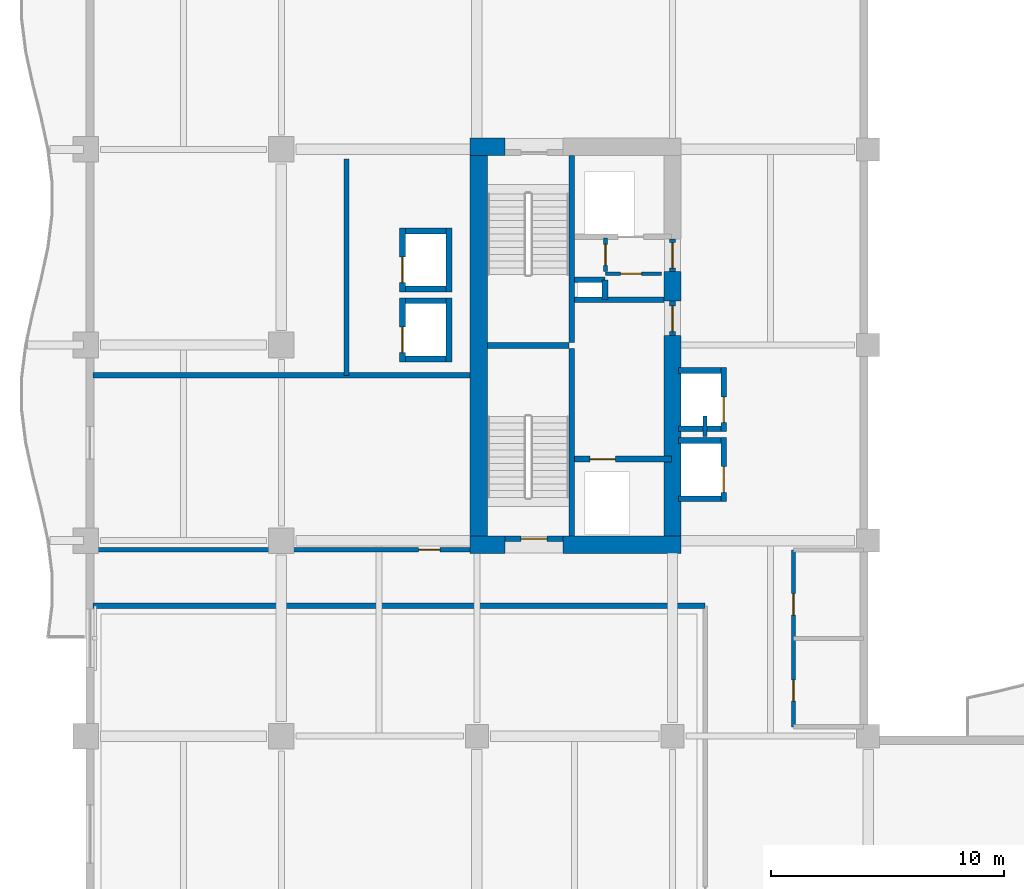
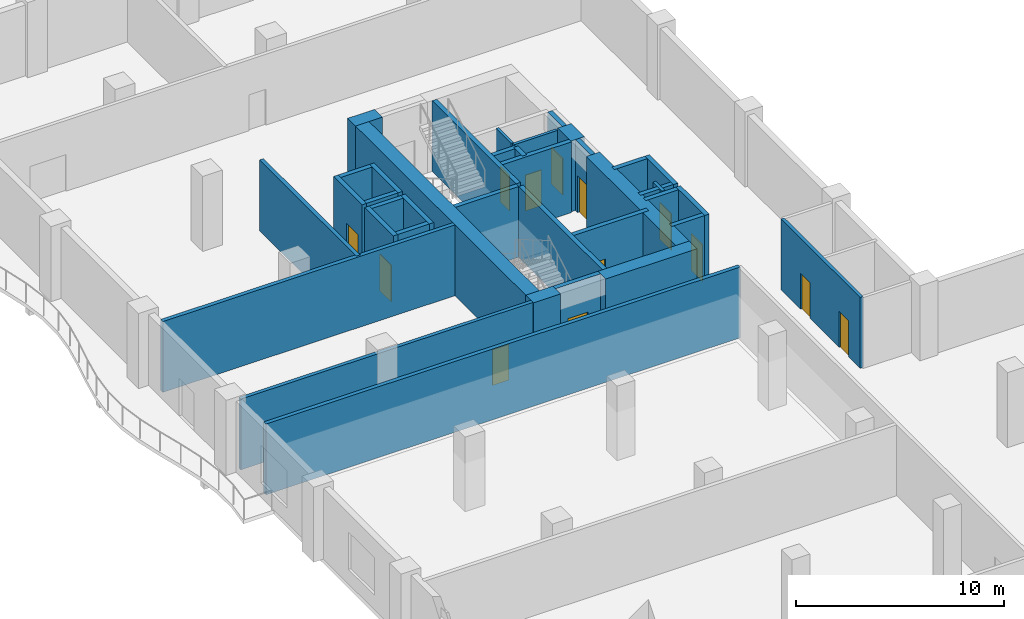
# One storey, part 12 of 22: 38 walls, 13 doors, 13 openings.
"""IFC4 building model written with IfcOpenShell, lengths in metres."""

from ifc_helpers import new_model, si_unit, direction, frame, frame_2d, origin, place, context, subcontext, project, spatial, rectangle, extrude, material, layer, layer_set, type_object, element, fill, save


model = new_model("IFC4")

# Units and contexts
model_context = context("Model", 3, precision=1e-05, world=origin(), true_north=direction((0.0, 1.0)))
body_context = subcontext(model_context, "Body", "Model", "MODEL_VIEW")
ifc_project = project(units=[si_unit("LENGTHUNIT", "METRE"), si_unit("AREAUNIT", "SQUARE_METRE"), si_unit("VOLUMEUNIT", "CUBIC_METRE"), si_unit("PLANEANGLEUNIT", "RADIAN"), si_unit("MASSUNIT", "GRAM", prefix="KILO")], contexts=[model_context])

# Site, building, storey
site_placement = place(None, origin())
site = spatial("IfcSite", under=ifc_project, at=site_placement, CompositionType="ELEMENT")
building_placement = place(site_placement, origin())
building = spatial("IfcBuilding", under=site, at=building_placement, Name="Koriwani Terraces Tower", CompositionType="ELEMENT")
storey_placement = place(building_placement, frame((0.0, 0.0, 153.199951171875)))
storey = spatial("IfcBuildingStorey", under=building, at=storey_placement, Name="L37", CompositionType="ELEMENT", Elevation=153.199951171875)

# Walls
ifc_material_1 = material(Name="Concrete C60/75", Category="concrete")
ifc_layer_1 = layer(ifc_material_1, 0.75, Name="Concrete C60/75")
ifc_layer_set_1 = layer_set([ifc_layer_1], Name="Concrete C60/75")
wall_type_1 = type_object("IfcWallType", Name="WALL_CORE_RC_750", PredefinedType="SHEAR", material=ifc_layer_set_1)
wall_1_placement = place(storey_placement, frame((16.5, 41.824951171875, 0.0), z_axis=(0.0, 0.0, 1.0), x_axis=(1.0, 0.0, 0.0)))
element("IfcWall", 1, at=wall_1_placement, inside=storey, type_object=wall_type_1, Name="L37 West Split Core Shear Wall S1", PredefinedType="SHEAR", context=body_context, shape_type="SweptSolid", body=[
    extrude(rectangle(XDim=1.5, YDim=0.75, at=frame_2d((0.75, 0.0))), origin(), (0.0, 0.0, 1.0), 4.150146484375),
])
wall_2_placement = place(storey_placement, frame((20.5, 41.824951171875, 0.0), z_axis=(0.0, 0.0, 1.0), x_axis=(1.0, 0.0, 0.0)))
element("IfcWall", 2, at=wall_2_placement, inside=storey, type_object=wall_type_1, Name="L37 West Split Core Shear Wall S2", PredefinedType="SHEAR", context=body_context, shape_type="SweptSolid", body=[
    extrude(rectangle(XDim=5.074951171875, YDim=0.75, at=frame_2d((2.53759765625, 0.0))), origin(), (0.0, 0.0, 1.0), 4.150146484375),
])
wall_3_placement = place(storey_placement, frame((16.5, 58.925048828125, 0.0), z_axis=(0.0, 0.0, 1.0), x_axis=(1.0, 0.0, 0.0)))
element("IfcWall", 3, at=wall_3_placement, inside=storey, type_object=wall_type_1, Name="L37 West Split Core Shear Wall N1", PredefinedType="SHEAR", context=body_context, shape_type="SweptSolid", body=[
    extrude(rectangle(XDim=1.5, YDim=0.75, at=frame_2d((0.75, 0.0))), origin(), (0.0, 0.0, 1.0), 4.150146484375),
])
wall_4_placement = place(storey_placement, frame((16.875, 42.199951171875, 0.0), z_axis=(0.0, 0.0, 1.0), x_axis=(0.0, 1.0, 0.0)))
element("IfcWall", 4, at=wall_4_placement, inside=storey, type_object=wall_type_1, Name="L37 West Split Core Shear Wall W1", PredefinedType="SHEAR", context=body_context, shape_type="SweptSolid", body=[
    extrude(rectangle(XDim=16.35009765625, YDim=0.75, at=frame_2d((8.175048828125, 0.0))), origin(), (0.0, 0.0, 1.0), 4.150146484375),
])
wall_5_placement = place(storey_placement, frame((25.199951171875, 42.199951171875, 0.0), z_axis=(0.0, 0.0, 1.0), x_axis=(0.0, 1.0, 0.0)))
element("IfcWall", 5, at=wall_5_placement, inside=storey, type_object=wall_type_1, Name="L37 West Split Core Shear Wall E1", PredefinedType="SHEAR", context=body_context, shape_type="SweptSolid", body=[
    extrude(rectangle(XDim=8.60009765625, YDim=0.75, at=frame_2d((4.300048828125, 0.0))), origin(), (0.0, 0.0, 1.0), 4.150146484375),
])
wall_6_placement = place(storey_placement, frame((25.199951171875, 52.280029296875, 0.0), z_axis=(0.0, 0.0, 1.0), x_axis=(0.0, 1.0, 0.0)))
element("IfcWall", 6, at=wall_6_placement, inside=storey, type_object=wall_type_1, Name="L37 West Split Core Shear Wall E2", PredefinedType="SHEAR", context=body_context, shape_type="SweptSolid", body=[
    extrude(rectangle(XDim=1.27001953125, YDim=0.75, at=frame_2d((0.635009765625, 0.0))), origin(), (0.0, 0.0, 1.0), 4.150146484375),
])

# Wall, opening, door
ifc_material_2 = material(Name="Autoclaved Cellular Concrete Blockwork", Category="masonry")
ifc_layer_2 = layer(ifc_material_2, 0.199951171875, Name="Autoclaved Cellular Concrete Blockwork")
ifc_layer_set_2 = layer_set([ifc_layer_2], Name="Autoclaved Cellular Concrete Blockwork")
wall_type_2 = type_object("IfcWallType", Name="WALL_CORRIDOR_200", PredefinedType="PARTITIONING", material=ifc_layer_set_2)
wall_7_placement = place(storey_placement, frame((0.300048828125, 41.60009765625, 0.0), z_axis=(0.0, 0.0, 1.0), x_axis=(1.0, 0.0, 0.0)))
wall_7 = element("IfcWall", 7, at=wall_7_placement, inside=storey, type_object=wall_type_2, Name="L37 Interior Wall WSKY-RECW1-L37", PredefinedType="PARTITIONING", context=body_context, shape_type="SweptSolid", body=[
    extrude(rectangle(XDim=16.199951171875, YDim=0.199951171875, at=frame_2d((8.10009765625, 0.0))), origin(), (0.0, 0.0, 1.0), 4.150146484375),
])
opening_1_placement = place(wall_7_placement, frame((14.0, 0.0, 0.0)))
opening_1 = element("IfcOpeningElement", 8, at=opening_1_placement, cuts=wall_7, Name="Opening D-06", PredefinedType="OPENING", context=body_context, shape_type="SweptSolid", body=[
    extrude(rectangle(XDim=0.919921875, YDim=2.10009765625, at=frame_2d((0.4599609375, 1.050048828125))), frame((0.0, 0.10986328125, 0.0), z_axis=(0.0, -1.0, 0.0), x_axis=(1.0, 0.0, 0.0)), (0.0, 0.0, 1.0), 0.219970703125),
])
ifc_material_3 = material(Name="Architectural Oak Fire Door", Category="wood")
door_type_1 = type_object("IfcDoorType", Name="DOOR_ROOM_INT_920X2100", OperationType="NOTDEFINED", PredefinedType="DOOR", material=ifc_material_3)
door_1_placement = place(opening_1_placement, origin())
door_1 = element("IfcDoor", 9, at=door_1_placement, inside=storey, type_object=door_type_1, Name="L37 Private Summit Boardroom Door", OperationType="SINGLE_SWING_LEFT", OverallHeight=2.10009765625, OverallWidth=0.919921875, PredefinedType="DOOR", context=body_context, shape_type="SweptSolid", body=[
    extrude(rectangle(XDim=0.919921875, YDim=2.10009765625, at=frame_2d((0.4599609375, 1.050048828125))), frame((0.0, 0.02490234375, 0.0), z_axis=(0.0, -1.0, 0.0), x_axis=(1.0, 0.0, 0.0)), (0.0, 0.0, 1.0), 0.050048828125),
])
fill(opening_1, door_1)

# Walls
ifc_layer_3 = layer(ifc_material_2, 0.219970703125, Name="Autoclaved Cellular Concrete Blockwork")
ifc_layer_set_3 = layer_set([ifc_layer_3], Name="Autoclaved Cellular Concrete Blockwork")
wall_type_3 = type_object("IfcWallType", Name="WALL_DEMISING_220", PredefinedType="PARTITIONING", material=ifc_layer_set_3)
wall_8_placement = place(storey_placement, frame((0.300048828125, 49.10009765625, 0.0), z_axis=(0.0, 0.0, 1.0), x_axis=(1.0, 0.0, 0.0)))
element("IfcWall", 10, at=wall_8_placement, inside=storey, type_object=wall_type_3, Name="L37 Interior Wall WSKY-RECW2-L37", PredefinedType="PARTITIONING", context=body_context, shape_type="SweptSolid", body=[
    extrude(rectangle(XDim=16.199951171875, YDim=0.219970703125, at=frame_2d((8.10009765625, 0.0))), origin(), (0.0, 0.0, 1.0), 4.150146484375),
])
wall_9_placement = place(storey_placement, frame((11.199951171875, 49.10009765625, 0.0), z_axis=(0.0, 0.0, 1.0), x_axis=(0.0, 1.0, 0.0)))
element("IfcWall", 11, at=wall_9_placement, inside=storey, type_object=wall_type_3, Name="L37 Interior Wall WSKY-RECW3-L37", PredefinedType="PARTITIONING", context=body_context, shape_type="SweptSolid", body=[
    extrude(rectangle(XDim=9.2998046875, YDim=0.219970703125, at=frame_2d((4.64990234375, 0.0))), origin(), (0.0, 0.0, 1.0), 4.150146484375),
])
wall_10_placement = place(storey_placement, frame((0.300048828125, 39.199951171875, 0.0), z_axis=(0.0, 0.0, 1.0), x_axis=(1.0, 0.0, 0.0)))
element("IfcWall", 12, at=wall_10_placement, inside=storey, type_object=wall_type_3, Name="L37 Interior Wall WSKY-WMN-L37", PredefinedType="PARTITIONING", context=body_context, shape_type="SweptSolid", body=[
    extrude(rectangle(XDim=26.300048828125, YDim=0.219970703125, at=frame_2d((13.14990234375, 0.0))), origin(), (0.0, 0.0, 1.0), 4.150146484375),
])

# Wall, openings, doors
ifc_material_4 = material(Name="Fire-Rated Acoustic Gypsum Partition", Category="masonry")
ifc_layer_4 = layer(ifc_material_4, 0.179931640625, Name="Fire-Rated Acoustic Gypsum Partition")
ifc_layer_set_4 = layer_set([ifc_layer_4], Name="Fire-Rated Acoustic Gypsum Partition")
wall_type_4 = type_object("IfcWallType", Name="WALL_PLUMBING_180", PredefinedType="PLUMBINGWALL", material=ifc_layer_set_4)
wall_11_placement = place(storey_placement, frame((30.39990234375, 34.0, 0.0), z_axis=(0.0, 0.0, 1.0), x_axis=(0.0, 1.0, 0.0)))
wall_11 = element("IfcWall", 13, at=wall_11_placement, inside=storey, type_object=wall_type_4, Name="L37 Interior Wall WSKY-WC-L37", PredefinedType="PLUMBINGWALL", context=body_context, shape_type="SweptSolid", body=[
    extrude(rectangle(XDim=7.60009765625, YDim=0.179931640625, at=frame_2d((3.800048828125, 0.0))), origin(), (0.0, 0.0, 1.0), 4.150146484375),
])
opening_2_placement = place(wall_11_placement, frame((1.10009765625, 0.0, 0.0)))
opening_2 = element("IfcOpeningElement", 14, at=opening_2_placement, cuts=wall_11, Name="Opening D-06", PredefinedType="OPENING", context=body_context, shape_type="SweptSolid", body=[
    extrude(rectangle(XDim=0.919921875, YDim=2.10009765625, at=frame_2d((0.4599609375, 1.050048828125))), frame((0.0, 0.10009765625, 0.0), z_axis=(0.0, -1.0, 0.0), x_axis=(1.0, 0.0, 0.0)), (0.0, 0.0, 1.0), 0.199951171875),
])
opening_3_placement = place(wall_11_placement, frame((4.800048828125, 0.0, 0.0)))
opening_3 = element("IfcOpeningElement", 15, at=opening_3_placement, cuts=wall_11, Name="Opening D-06", PredefinedType="OPENING", context=body_context, shape_type="SweptSolid", body=[
    extrude(rectangle(XDim=0.919921875, YDim=2.10009765625, at=frame_2d((0.4599609375, 1.050048828125))), frame((0.0, 0.10009765625, 0.0), z_axis=(0.0, -1.0, 0.0), x_axis=(1.0, 0.0, 0.0)), (0.0, 0.0, 1.0), 0.199951171875),
])
door_2_placement = place(opening_2_placement, origin())
door_2 = element("IfcDoor", 16, at=door_2_placement, inside=storey, type_object=door_type_1, Name="L37 Sky Lobby Restroom WC Door", OperationType="SINGLE_SWING_LEFT", OverallHeight=2.10009765625, OverallWidth=0.919921875, PredefinedType="DOOR", context=body_context, shape_type="SweptSolid", body=[
    extrude(rectangle(XDim=0.919921875, YDim=2.10009765625, at=frame_2d((0.4599609375, 1.050048828125))), frame((0.0, 0.02490234375, 0.0), z_axis=(0.0, -1.0, 0.0), x_axis=(1.0, 0.0, 0.0)), (0.0, 0.0, 1.0), 0.050048828125),
])
fill(opening_2, door_2)
door_3_placement = place(opening_3_placement, origin())
door_3 = element("IfcDoor", 17, at=door_3_placement, inside=storey, type_object=door_type_1, Name="L37 Sky Lobby Accessible WC Door", OperationType="SINGLE_SWING_RIGHT", OverallHeight=2.10009765625, OverallWidth=0.919921875, PredefinedType="DOOR", context=body_context, shape_type="SweptSolid", body=[
    extrude(rectangle(XDim=0.919921875, YDim=2.10009765625, at=frame_2d((0.4599609375, 1.050048828125))), frame((0.0, 0.02490234375, 0.0), z_axis=(0.0, -1.0, 0.0), x_axis=(1.0, 0.0, 0.0)), (0.0, 0.0, 1.0), 0.050048828125),
])
fill(opening_3, door_3)

# Walls
ifc_material_5 = material(Name="Concrete C40/50", Category="concrete")
ifc_layer_5 = layer(ifc_material_5, 0.25, Name="Concrete C40/50")
ifc_layer_set_5 = layer_set([ifc_layer_5], Name="Concrete C40/50")
wall_type_5 = type_object("IfcWallType", Name="WALL_SHAFT_RATED_250", PredefinedType="SOLIDWALL", material=ifc_layer_set_5)
for number, where, z_axis, x_axis, name in (
    (18, (20.875, 42.199951171875, 0.0), (0.0, 0.0, 1.0), (0.0, 1.0, 0.0), "L37 West Split Core Web Wall MID1"),
    (19, (20.875, 50.5, 0.0), (0.0, 0.0, 1.0), (0.0, 1.0, 0.0), "L37 West Split Core Web Wall MID2"),
):
    element("IfcWall", number, at=place(storey_placement, frame(where, z_axis=z_axis, x_axis=x_axis)), inside=storey, type_object=wall_type_5, Name=name, PredefinedType="SOLIDWALL", context=body_context, shape_type="SweptSolid", body=[
        extrude(rectangle(XDim=8.050048828125, YDim=0.25, at=frame_2d((4.02490234375, 0.0))), origin(), (0.0, 0.0, 1.0), 4.150146484375),
    ])
wall_12_placement = place(storey_placement, frame((17.25, 50.375, 0.0), z_axis=(0.0, 0.0, 1.0), x_axis=(1.0, 0.0, 0.0)))
element("IfcWall", 20, at=wall_12_placement, inside=storey, type_object=wall_type_5, Name="L37 West Split Core Stair Dividing Wall", PredefinedType="SOLIDWALL", context=body_context, shape_type="SweptSolid", body=[
    extrude(rectangle(XDim=3.5, YDim=0.25, at=frame_2d((1.75, 0.0))), origin(), (0.0, 0.0, 1.0), 4.150146484375),
])

# Wall, opening, door
wall_13_placement = place(storey_placement, frame((18.0, 42.074951171875, 0.0), z_axis=(0.0, 0.0, 1.0), x_axis=(1.0, 0.0, 0.0)))
wall_13 = element("IfcWall", 21, at=wall_13_placement, inside=storey, type_object=wall_type_5, Name="L37 Interior Wall WIN-CW-L37-STS", PredefinedType="SOLIDWALL", context=body_context, shape_type="SweptSolid", body=[
    extrude(rectangle(XDim=2.5, YDim=0.25, at=frame_2d((1.25, 0.0))), origin(), (0.0, 0.0, 1.0), 4.150146484375),
])
opening_4_placement = place(wall_13_placement, frame((0.699951171875, 0.0, 0.0)))
opening_4 = element("IfcOpeningElement", 22, at=opening_4_placement, cuts=wall_13, Name="Opening D-03", PredefinedType="OPENING", context=body_context, shape_type="SweptSolid", body=[
    extrude(rectangle(XDim=1.10009765625, YDim=2.14990234375, at=frame_2d((0.550048828125, 1.074951171875))), frame((0.0, 0.135009765625, 0.0), z_axis=(0.0, -1.0, 0.0), x_axis=(1.0, 0.0, 0.0)), (0.0, 0.0, 1.0), 0.27001953125),
])
ifc_material_6 = material(Name="Steel ASTM A572 Grade 50", Category="steel")
door_type_2 = type_object("IfcDoorType", Name="DOOR_STAIR_FIRE_1100X2150", OperationType="NOTDEFINED", PredefinedType="DOOR", material=ifc_material_6)
door_4_placement = place(opening_4_placement, origin())
door_4 = element("IfcDoor", 23, at=door_4_placement, inside=storey, type_object=door_type_2, Name="L37 Exit Stair ST-W1 Door", OperationType="SINGLE_SWING_LEFT", OverallHeight=2.14990234375, OverallWidth=1.10009765625, PredefinedType="DOOR", context=body_context, shape_type="SweptSolid", body=[
    extrude(rectangle(XDim=1.10009765625, YDim=2.14990234375, at=frame_2d((0.550048828125, 1.074951171875))), frame((0.0, 0.02490234375, 0.0), z_axis=(0.0, -1.0, 0.0), x_axis=(1.0, 0.0, 0.0)), (0.0, 0.0, 1.0), 0.050048828125),
])
fill(opening_4, door_4)

wall_14_placement = place(storey_placement, frame((21.0, 45.5, 0.0), z_axis=(0.0, 0.0, 1.0), x_axis=(1.0, 0.0, 0.0)))
wall_14 = element("IfcWall", 24, at=wall_14_placement, inside=storey, type_object=wall_type_5, Name="L37 Interior Wall WIN-CW-L37-FE", PredefinedType="SOLIDWALL", context=body_context, shape_type="SweptSolid", body=[
    extrude(rectangle(XDim=4.14990234375, YDim=0.25, at=frame_2d((2.074951171875, 0.0))), origin(), (0.0, 0.0, 1.0), 4.150146484375),
])
opening_5_placement = place(wall_14_placement, frame((0.64990234375, 0.0, 0.0)))
opening_5 = element("IfcOpeningElement", 25, at=opening_5_placement, cuts=wall_14, Name="Opening LD-01", PredefinedType="OPENING", context=body_context, shape_type="SweptSolid", body=[
    extrude(rectangle(XDim=1.10009765625, YDim=2.14990234375, at=frame_2d((0.550048828125, 1.074951171875))), frame((0.0, 0.135009765625, 0.0), z_axis=(0.0, -1.0, 0.0), x_axis=(1.0, 0.0, 0.0)), (0.0, 0.0, 1.0), 0.27001953125),
])
door_type_3 = type_object("IfcDoorType", Name="DOOR_LIFT_LANDING_1100X2200", OperationType="NOTDEFINED", PredefinedType="DOOR", material=ifc_material_6)
door_5_placement = place(opening_5_placement, origin())
door_5 = element("IfcDoor", 26, at=door_5_placement, inside=storey, type_object=door_type_3, Name="L37 Firefighting Lift FE-01 Landing Door", OperationType="SLIDING_TO_LEFT", OverallHeight=2.14990234375, OverallWidth=1.10009765625, PredefinedType="DOOR", context=body_context, shape_type="SweptSolid", body=[
    extrude(rectangle(XDim=1.10009765625, YDim=2.14990234375, at=frame_2d((0.550048828125, 1.074951171875))), frame((0.0, 0.02490234375, 0.0), z_axis=(0.0, -1.0, 0.0), x_axis=(1.0, 0.0, 0.0)), (0.0, 0.0, 1.0), 0.050048828125),
])
fill(opening_5, door_5)

wall_15_placement = place(storey_placement, frame((25.199951171875, 50.800048828125, 0.0), z_axis=(0.0, 0.0, 1.0), x_axis=(0.0, 1.0, 0.0)))
wall_15 = element("IfcWall", 27, at=wall_15_placement, inside=storey, type_object=wall_type_5, Name="L37 Interior Wall WIN-CW-L37-EP", PredefinedType="SOLIDWALL", context=body_context, shape_type="SweptSolid", body=[
    extrude(rectangle(XDim=1.47998046875, YDim=0.25, at=frame_2d((0.739990234375, 0.0))), origin(), (0.0, 0.0, 1.0), 4.150146484375),
])
opening_6_placement = place(wall_15_placement, frame((0.179931640625, 0.0, 0.0)))
opening_6 = element("IfcOpeningElement", 28, at=opening_6_placement, cuts=wall_15, Name="Opening D-03", PredefinedType="OPENING", context=body_context, shape_type="SweptSolid", body=[
    extrude(rectangle(XDim=1.10009765625, YDim=2.14990234375, at=frame_2d((0.550048828125, 1.074951171875))), frame((0.0, 0.135009765625, 0.0), z_axis=(0.0, -1.0, 0.0), x_axis=(1.0, 0.0, 0.0)), (0.0, 0.0, 1.0), 0.27001953125),
])
door_6_placement = place(opening_6_placement, origin())
door_6 = element("IfcDoor", 29, at=door_6_placement, inside=storey, type_object=door_type_2, Name="L37 West Firefighting Lobby Door", OperationType="SINGLE_SWING_LEFT", OverallHeight=2.14990234375, OverallWidth=1.10009765625, PredefinedType="DOOR", context=body_context, shape_type="SweptSolid", body=[
    extrude(rectangle(XDim=1.10009765625, YDim=2.14990234375, at=frame_2d((0.550048828125, 1.074951171875))), frame((0.0, 0.02490234375, 0.0), z_axis=(0.0, -1.0, 0.0), x_axis=(1.0, 0.0, 0.0)), (0.0, 0.0, 1.0), 0.050048828125),
])
fill(opening_6, door_6)

# Wall
wall_16_placement = place(storey_placement, frame((21.0, 52.340087890625, 0.0), z_axis=(0.0, 0.0, 1.0), x_axis=(1.0, 0.0, 0.0)))
element("IfcWall", 30, at=wall_16_placement, inside=storey, type_object=wall_type_5, Name="L37 Interior Wall WIN-CW-L37-FFN", PredefinedType="SOLIDWALL", context=body_context, shape_type="SweptSolid", body=[
    extrude(rectangle(XDim=3.824951171875, YDim=0.25, at=frame_2d((1.91259765625, 0.0))), origin(), (0.0, 0.0, 1.0), 4.150146484375),
])

# Wall, opening, door
wall_17_placement = place(storey_placement, frame((25.199951171875, 53.550048828125, 0.0), z_axis=(0.0, 0.0, 1.0), x_axis=(0.0, 1.0, 0.0)))
wall_17 = element("IfcWall", 31, at=wall_17_placement, inside=storey, type_object=wall_type_5, Name="L37 Interior Wall WIN-CW-L37-EP2", PredefinedType="SOLIDWALL", context=body_context, shape_type="SweptSolid", body=[
    extrude(rectangle(XDim=1.39990234375, YDim=0.25, at=frame_2d((0.699951171875, 0.0))), origin(), (0.0, 0.0, 1.0), 4.150146484375),
])
opening_7_placement = place(wall_17_placement, frame((0.14990234375, 0.0, 0.0)))
opening_7 = element("IfcOpeningElement", 32, at=opening_7_placement, cuts=wall_17, Name="Opening D-03", PredefinedType="OPENING", context=body_context, shape_type="SweptSolid", body=[
    extrude(rectangle(XDim=1.10009765625, YDim=2.14990234375, at=frame_2d((0.550048828125, 1.074951171875))), frame((0.0, 0.135009765625, 0.0), z_axis=(0.0, -1.0, 0.0), x_axis=(1.0, 0.0, 0.0)), (0.0, 0.0, 1.0), 0.27001953125),
])
door_7_placement = place(opening_7_placement, origin())
door_7 = element("IfcDoor", 33, at=door_7_placement, inside=storey, type_object=door_type_2, Name="L37 West Goods Lift Lobby Door", OperationType="SINGLE_SWING_RIGHT", OverallHeight=2.14990234375, OverallWidth=1.10009765625, PredefinedType="DOOR", context=body_context, shape_type="SweptSolid", body=[
    extrude(rectangle(XDim=1.10009765625, YDim=2.14990234375, at=frame_2d((0.550048828125, 1.074951171875))), frame((0.0, 0.02490234375, 0.0), z_axis=(0.0, -1.0, 0.0), x_axis=(1.0, 0.0, 0.0)), (0.0, 0.0, 1.0), 0.050048828125),
])
fill(opening_7, door_7)

# Walls
wall_18_placement = place(storey_placement, frame((21.0, 53.199951171875, 0.0), z_axis=(0.0, 0.0, 1.0), x_axis=(1.0, 0.0, 0.0)))
element("IfcWall", 34, at=wall_18_placement, inside=storey, type_object=wall_type_5, Name="L37 Interior Wall WIN-CW-L37-RS1", PredefinedType="SOLIDWALL", context=body_context, shape_type="SweptSolid", body=[
    extrude(rectangle(XDim=1.300048828125, YDim=0.25, at=frame_2d((0.64990234375, 0.0))), origin(), (0.0, 0.0, 1.0), 4.150146484375),
])
wall_19_placement = place(storey_placement, frame((22.300048828125, 52.360107421875, 0.0), z_axis=(0.0, 0.0, 1.0), x_axis=(0.0, 1.0, 0.0)))
element("IfcWall", 35, at=wall_19_placement, inside=storey, type_object=wall_type_5, Name="L37 Interior Wall WIN-CW-L37-RS2", PredefinedType="SOLIDWALL", context=body_context, shape_type="SweptSolid", body=[
    extrude(rectangle(XDim=0.83984375, YDim=0.25, at=frame_2d((0.419921875, 0.0))), origin(), (0.0, 0.0, 1.0), 4.150146484375),
])

# Wall, opening, door
wall_20_placement = place(storey_placement, frame((13.60009765625, 49.675048828125, 0.0), z_axis=(0.0, 0.0, 1.0), x_axis=(0.0, 1.0, 0.0)))
wall_20 = element("IfcWall", 36, at=wall_20_placement, inside=storey, type_object=wall_type_5, Name="L37 Interior Wall WIN-LF-PE-M1-L37-F", PredefinedType="SOLIDWALL", context=body_context, shape_type="SweptSolid", body=[
    extrude(rectangle(XDim=2.75, YDim=0.25, at=frame_2d((1.375, 0.0))), origin(), (0.0, 0.0, 1.0), 4.150146484375),
])
opening_8_placement = place(wall_20_placement, frame((0.39990234375, 0.0, 0.0)))
opening_8 = element("IfcOpeningElement", 37, at=opening_8_placement, cuts=wall_20, Name="Opening LD-01", PredefinedType="OPENING", context=body_context, shape_type="SweptSolid", body=[
    extrude(rectangle(XDim=1.10009765625, YDim=2.14990234375, at=frame_2d((0.550048828125, 1.074951171875))), frame((0.0, 0.135009765625, 0.0), z_axis=(0.0, -1.0, 0.0), x_axis=(1.0, 0.0, 0.0)), (0.0, 0.0, 1.0), 0.27001953125),
])
door_8_placement = place(opening_8_placement, origin())
door_8 = element("IfcDoor", 38, at=door_8_placement, inside=storey, type_object=door_type_3, Name="L37 Passenger Lift PE-M1 Landing Door", OperationType="SLIDING_TO_LEFT", OverallHeight=2.14990234375, OverallWidth=1.10009765625, PredefinedType="DOOR", context=body_context, shape_type="SweptSolid", body=[
    extrude(rectangle(XDim=1.10009765625, YDim=2.14990234375, at=frame_2d((0.550048828125, 1.074951171875))), frame((0.0, 0.02490234375, 0.0), z_axis=(0.0, -1.0, 0.0), x_axis=(1.0, 0.0, 0.0)), (0.0, 0.0, 1.0), 0.050048828125),
])
fill(opening_8, door_8)

# Walls
wall_21_placement = place(storey_placement, frame((15.60009765625, 49.675048828125, 0.0), z_axis=(0.0, 0.0, 1.0), x_axis=(0.0, 1.0, 0.0)))
element("IfcWall", 39, at=wall_21_placement, inside=storey, type_object=wall_type_5, Name="L37 Interior Wall WIN-LF-PE-M1-L37-B", PredefinedType="SOLIDWALL", context=body_context, shape_type="SweptSolid", body=[
    extrude(rectangle(XDim=2.75, YDim=0.25, at=frame_2d((1.375, 0.0))), origin(), (0.0, 0.0, 1.0), 4.150146484375),
])
for number, where, z_axis, x_axis, name in (
    (40, (13.72509765625, 49.800048828125, 0.0), (0.0, 0.0, 1.0), (1.0, 0.0, 0.0), "L37 Interior Wall WIN-LF-PE-M1-L37-S"),
    (41, (13.72509765625, 52.300048828125, 0.0), (0.0, 0.0, 1.0), (1.0, 0.0, 0.0), "L37 Interior Wall WIN-LF-PE-M1-L37-N"),
):
    element("IfcWall", number, at=place(storey_placement, frame(where, z_axis=z_axis, x_axis=x_axis)), inside=storey, type_object=wall_type_5, Name=name, PredefinedType="SOLIDWALL", context=body_context, shape_type="SweptSolid", body=[
        extrude(rectangle(XDim=1.75, YDim=0.25, at=frame_2d((0.875, 0.0))), origin(), (0.0, 0.0, 1.0), 4.150146484375),
    ])

# Wall, opening, door
wall_22_placement = place(storey_placement, frame((13.60009765625, 52.675048828125, 0.0), z_axis=(0.0, 0.0, 1.0), x_axis=(0.0, 1.0, 0.0)))
wall_22 = element("IfcWall", 42, at=wall_22_placement, inside=storey, type_object=wall_type_5, Name="L37 Interior Wall WIN-LF-PE-M2-L37-F", PredefinedType="SOLIDWALL", context=body_context, shape_type="SweptSolid", body=[
    extrude(rectangle(XDim=2.75, YDim=0.25, at=frame_2d((1.375, 0.0))), origin(), (0.0, 0.0, 1.0), 4.150146484375),
])
opening_9_placement = place(wall_22_placement, frame((0.39990234375, 0.0, 0.0)))
opening_9 = element("IfcOpeningElement", 43, at=opening_9_placement, cuts=wall_22, Name="Opening LD-01", PredefinedType="OPENING", context=body_context, shape_type="SweptSolid", body=[
    extrude(rectangle(XDim=1.10009765625, YDim=2.14990234375, at=frame_2d((0.550048828125, 1.074951171875))), frame((0.0, 0.135009765625, 0.0), z_axis=(0.0, -1.0, 0.0), x_axis=(1.0, 0.0, 0.0)), (0.0, 0.0, 1.0), 0.27001953125),
])
door_9_placement = place(opening_9_placement, origin())
door_9 = element("IfcDoor", 44, at=door_9_placement, inside=storey, type_object=door_type_3, Name="L37 Passenger Lift PE-M2 Landing Door", OperationType="SLIDING_TO_LEFT", OverallHeight=2.14990234375, OverallWidth=1.10009765625, PredefinedType="DOOR", context=body_context, shape_type="SweptSolid", body=[
    extrude(rectangle(XDim=1.10009765625, YDim=2.14990234375, at=frame_2d((0.550048828125, 1.074951171875))), frame((0.0, 0.02490234375, 0.0), z_axis=(0.0, -1.0, 0.0), x_axis=(1.0, 0.0, 0.0)), (0.0, 0.0, 1.0), 0.050048828125),
])
fill(opening_9, door_9)

# Walls
wall_23_placement = place(storey_placement, frame((15.60009765625, 52.675048828125, 0.0), z_axis=(0.0, 0.0, 1.0), x_axis=(0.0, 1.0, 0.0)))
element("IfcWall", 45, at=wall_23_placement, inside=storey, type_object=wall_type_5, Name="L37 Interior Wall WIN-LF-PE-M2-L37-B", PredefinedType="SOLIDWALL", context=body_context, shape_type="SweptSolid", body=[
    extrude(rectangle(XDim=2.75, YDim=0.25, at=frame_2d((1.375, 0.0))), origin(), (0.0, 0.0, 1.0), 4.150146484375),
])
for number, where, z_axis, x_axis, name in (
    (46, (13.72509765625, 52.800048828125, 0.0), (0.0, 0.0, 1.0), (1.0, 0.0, 0.0), "L37 Interior Wall WIN-LF-PE-M2-L37-S"),
    (47, (13.72509765625, 55.300048828125, 0.0), (0.0, 0.0, 1.0), (1.0, 0.0, 0.0), "L37 Interior Wall WIN-LF-PE-M2-L37-N"),
):
    element("IfcWall", number, at=place(storey_placement, frame(where, z_axis=z_axis, x_axis=x_axis)), inside=storey, type_object=wall_type_5, Name=name, PredefinedType="SOLIDWALL", context=body_context, shape_type="SweptSolid", body=[
        extrude(rectangle(XDim=1.75, YDim=0.25, at=frame_2d((0.875, 0.0))), origin(), (0.0, 0.0, 1.0), 4.150146484375),
    ])

# Wall, opening, door
wall_24_placement = place(storey_placement, frame((27.39990234375, 43.675048828125, 0.0), z_axis=(0.0, 0.0, 1.0), x_axis=(0.0, 1.0, 0.0)))
wall_24 = element("IfcWall", 48, at=wall_24_placement, inside=storey, type_object=wall_type_5, Name="L37 Interior Wall WIN-LF-PE-H1-L37-F", PredefinedType="SOLIDWALL", context=body_context, shape_type="SweptSolid", body=[
    extrude(rectangle(XDim=2.75, YDim=0.25, at=frame_2d((1.375, 0.0))), origin(), (0.0, 0.0, 1.0), 4.150146484375),
])
opening_10_placement = place(wall_24_placement, frame((0.39990234375, 0.0, 0.0)))
opening_10 = element("IfcOpeningElement", 49, at=opening_10_placement, cuts=wall_24, Name="Opening LD-01", PredefinedType="OPENING", context=body_context, shape_type="SweptSolid", body=[
    extrude(rectangle(XDim=1.10009765625, YDim=2.14990234375, at=frame_2d((0.550048828125, 1.074951171875))), frame((0.0, 0.135009765625, 0.0), z_axis=(0.0, -1.0, 0.0), x_axis=(1.0, 0.0, 0.0)), (0.0, 0.0, 1.0), 0.27001953125),
])
door_10_placement = place(opening_10_placement, origin())
door_10 = element("IfcDoor", 50, at=door_10_placement, inside=storey, type_object=door_type_3, Name="L37 Passenger Lift PE-H1 Landing Door", OperationType="SLIDING_TO_LEFT", OverallHeight=2.14990234375, OverallWidth=1.10009765625, PredefinedType="DOOR", context=body_context, shape_type="SweptSolid", body=[
    extrude(rectangle(XDim=1.10009765625, YDim=2.14990234375, at=frame_2d((0.550048828125, 1.074951171875))), frame((0.0, 0.02490234375, 0.0), z_axis=(0.0, -1.0, 0.0), x_axis=(1.0, 0.0, 0.0)), (0.0, 0.0, 1.0), 0.050048828125),
])
fill(opening_10, door_10)

# Walls
for number, where, z_axis, x_axis, name in (
    (51, (25.449951171875, 43.800048828125, 0.0), (0.0, 0.0, 1.0), (1.0, 0.0, 0.0), "L37 Interior Wall WIN-LF-PE-H1-L37-S"),
    (52, (25.449951171875, 46.300048828125, 0.0), (0.0, 0.0, 1.0), (1.0, 0.0, 0.0), "L37 Interior Wall WIN-LF-PE-H1-L37-N"),
):
    element("IfcWall", number, at=place(storey_placement, frame(where, z_axis=z_axis, x_axis=x_axis)), inside=storey, type_object=wall_type_5, Name=name, PredefinedType="SOLIDWALL", context=body_context, shape_type="SweptSolid", body=[
        extrude(rectangle(XDim=1.824951171875, YDim=0.25, at=frame_2d((0.91259765625, 0.0))), origin(), (0.0, 0.0, 1.0), 4.150146484375),
    ])

# Wall, opening, door
wall_25_placement = place(storey_placement, frame((27.39990234375, 46.675048828125, 0.0), z_axis=(0.0, 0.0, 1.0), x_axis=(0.0, 1.0, 0.0)))
wall_25 = element("IfcWall", 53, at=wall_25_placement, inside=storey, type_object=wall_type_5, Name="L37 Interior Wall WIN-LF-PE-H2-L37-F", PredefinedType="SOLIDWALL", context=body_context, shape_type="SweptSolid", body=[
    extrude(rectangle(XDim=2.75, YDim=0.25, at=frame_2d((1.375, 0.0))), origin(), (0.0, 0.0, 1.0), 4.150146484375),
])
opening_11_placement = place(wall_25_placement, frame((0.39990234375, 0.0, 0.0)))
opening_11 = element("IfcOpeningElement", 54, at=opening_11_placement, cuts=wall_25, Name="Opening LD-01", PredefinedType="OPENING", context=body_context, shape_type="SweptSolid", body=[
    extrude(rectangle(XDim=1.10009765625, YDim=2.14990234375, at=frame_2d((0.550048828125, 1.074951171875))), frame((0.0, 0.135009765625, 0.0), z_axis=(0.0, -1.0, 0.0), x_axis=(1.0, 0.0, 0.0)), (0.0, 0.0, 1.0), 0.27001953125),
])
door_11_placement = place(opening_11_placement, origin())
door_11 = element("IfcDoor", 55, at=door_11_placement, inside=storey, type_object=door_type_3, Name="L37 Passenger Lift PE-H2 Landing Door", OperationType="SLIDING_TO_LEFT", OverallHeight=2.14990234375, OverallWidth=1.10009765625, PredefinedType="DOOR", context=body_context, shape_type="SweptSolid", body=[
    extrude(rectangle(XDim=1.10009765625, YDim=2.14990234375, at=frame_2d((0.550048828125, 1.074951171875))), frame((0.0, 0.02490234375, 0.0), z_axis=(0.0, -1.0, 0.0), x_axis=(1.0, 0.0, 0.0)), (0.0, 0.0, 1.0), 0.050048828125),
])
fill(opening_11, door_11)

# Walls
for number, where, z_axis, x_axis, name in (
    (56, (25.449951171875, 46.800048828125, 0.0), (0.0, 0.0, 1.0), (1.0, 0.0, 0.0), "L37 Interior Wall WIN-LF-PE-H2-L37-S"),
    (57, (25.449951171875, 49.300048828125, 0.0), (0.0, 0.0, 1.0), (1.0, 0.0, 0.0), "L37 Interior Wall WIN-LF-PE-H2-L37-N"),
):
    element("IfcWall", number, at=place(storey_placement, frame(where, z_axis=z_axis, x_axis=x_axis)), inside=storey, type_object=wall_type_5, Name=name, PredefinedType="SOLIDWALL", context=body_context, shape_type="SweptSolid", body=[
        extrude(rectangle(XDim=1.824951171875, YDim=0.25, at=frame_2d((0.91259765625, 0.0))), origin(), (0.0, 0.0, 1.0), 4.150146484375),
    ])

# Wall, opening, door
ifc_layer_6 = layer(ifc_material_4, 0.159912109375, Name="Fire-Rated Acoustic Gypsum Partition")
ifc_layer_set_6 = layer_set([ifc_layer_6], Name="Fire-Rated Acoustic Gypsum Partition")
wall_type_6 = type_object("IfcWallType", Name="WALL_SUITE_160", PredefinedType="PARTITIONING", material=ifc_layer_set_6)
wall_26_placement = place(storey_placement, frame((22.320068359375, 53.56005859375, 0.0), z_axis=(0.0, 0.0, 1.0), x_axis=(0.0, 1.0, 0.0)))
wall_26 = element("IfcWall", 58, at=wall_26_placement, inside=storey, type_object=wall_type_6, Name="L37 Interior Wall WIN-CW-L37-SV1A", PredefinedType="PARTITIONING", context=body_context, shape_type="SweptSolid", body=[
    extrude(rectangle(XDim=1.43994140625, YDim=0.159912109375, at=frame_2d((0.719970703125, 0.0))), origin(), (0.0, 0.0, 1.0), 4.150146484375),
])
opening_12_placement = place(wall_26_placement, frame((0.260009765625, 0.0, 0.0)))
opening_12 = element("IfcOpeningElement", 59, at=opening_12_placement, cuts=wall_26, Name="Opening D-07", PredefinedType="OPENING", context=body_context, shape_type="SweptSolid", body=[
    extrude(rectangle(XDim=0.89990234375, YDim=2.10009765625, at=frame_2d((0.449951171875, 1.050048828125))), frame((0.0, 0.08984375, 0.0), z_axis=(0.0, -1.0, 0.0), x_axis=(1.0, 0.0, 0.0)), (0.0, 0.0, 1.0), 0.179931640625),
])
door_type_4 = type_object("IfcDoorType", Name="DOOR_BATH_INT_900X2100", OperationType="NOTDEFINED", PredefinedType="DOOR", material=ifc_material_3)
door_12_placement = place(opening_12_placement, origin())
door_12 = element("IfcDoor", 60, at=door_12_placement, inside=storey, type_object=door_type_4, Name="L37 West Telecom Room Door", OperationType="SINGLE_SWING_LEFT", OverallHeight=2.10009765625, OverallWidth=0.89990234375, PredefinedType="DOOR", context=body_context, shape_type="SweptSolid", body=[
    extrude(rectangle(XDim=0.89990234375, YDim=2.10009765625, at=frame_2d((0.449951171875, 1.050048828125))), frame((0.0, 0.02490234375, 0.0), z_axis=(0.0, -1.0, 0.0), x_axis=(1.0, 0.0, 0.0)), (0.0, 0.0, 1.0), 0.050048828125),
])
fill(opening_12, door_12)

wall_27_placement = place(storey_placement, frame((22.320068359375, 53.4599609375, 0.0), z_axis=(0.0, 0.0, 1.0), x_axis=(1.0, 0.0, 0.0)))
wall_27 = element("IfcWall", 61, at=wall_27_placement, inside=storey, type_object=wall_type_6, Name="L37 Interior Wall WIN-CW-L37-SV1B", PredefinedType="PARTITIONING", context=body_context, shape_type="SweptSolid", body=[
    extrude(rectangle(XDim=2.39990234375, YDim=0.159912109375, at=frame_2d((1.199951171875, 0.0))), origin(), (0.0, 0.0, 1.0), 4.150146484375),
])
opening_13_placement = place(wall_27_placement, frame((0.64990234375, 0.0, 0.0)))
opening_13 = element("IfcOpeningElement", 62, at=opening_13_placement, cuts=wall_27, Name="Opening D-07", PredefinedType="OPENING", context=body_context, shape_type="SweptSolid", body=[
    extrude(rectangle(XDim=0.89990234375, YDim=2.10009765625, at=frame_2d((0.449951171875, 1.050048828125))), frame((0.0, 0.08984375, 0.0), z_axis=(0.0, -1.0, 0.0), x_axis=(1.0, 0.0, 0.0)), (0.0, 0.0, 1.0), 0.179931640625),
])
door_13_placement = place(opening_13_placement, origin())
door_13 = element("IfcDoor", 63, at=door_13_placement, inside=storey, type_object=door_type_4, Name="L37 West Cleaners Closet Door", OperationType="SINGLE_SWING_RIGHT", OverallHeight=2.10009765625, OverallWidth=0.89990234375, PredefinedType="DOOR", context=body_context, shape_type="SweptSolid", body=[
    extrude(rectangle(XDim=0.89990234375, YDim=2.10009765625, at=frame_2d((0.449951171875, 1.050048828125))), frame((0.0, 0.02490234375, 0.0), z_axis=(0.0, -1.0, 0.0), x_axis=(1.0, 0.0, 0.0)), (0.0, 0.0, 1.0), 0.050048828125),
])
fill(opening_13, door_13)

# Wall
wall_28_placement = place(storey_placement, frame((26.60009765625, 46.4599609375, 0.0), z_axis=(0.0, 0.0, 1.0), x_axis=(0.0, 1.0, 0.0)))
element("IfcWall", 64, at=wall_28_placement, inside=storey, type_object=wall_type_6, Name="L37 Interior Wall WIN-LF-PEH12-MID-L37", PredefinedType="PARTITIONING", context=body_context, shape_type="SweptSolid", body=[
    extrude(rectangle(XDim=0.880126953125, YDim=0.159912109375, at=frame_2d((0.43994140625, 0.0))), origin(), (0.0, 0.0, 1.0), 4.150146484375),
])

save(model, "model.ifc")
